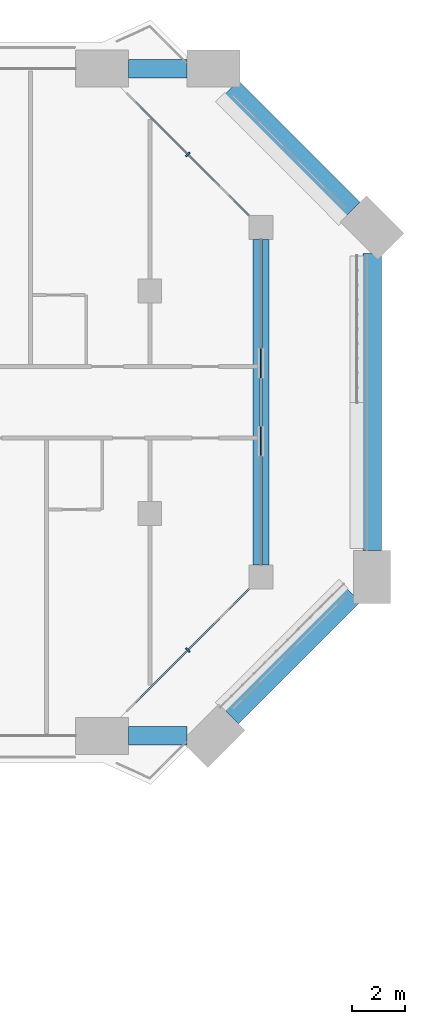
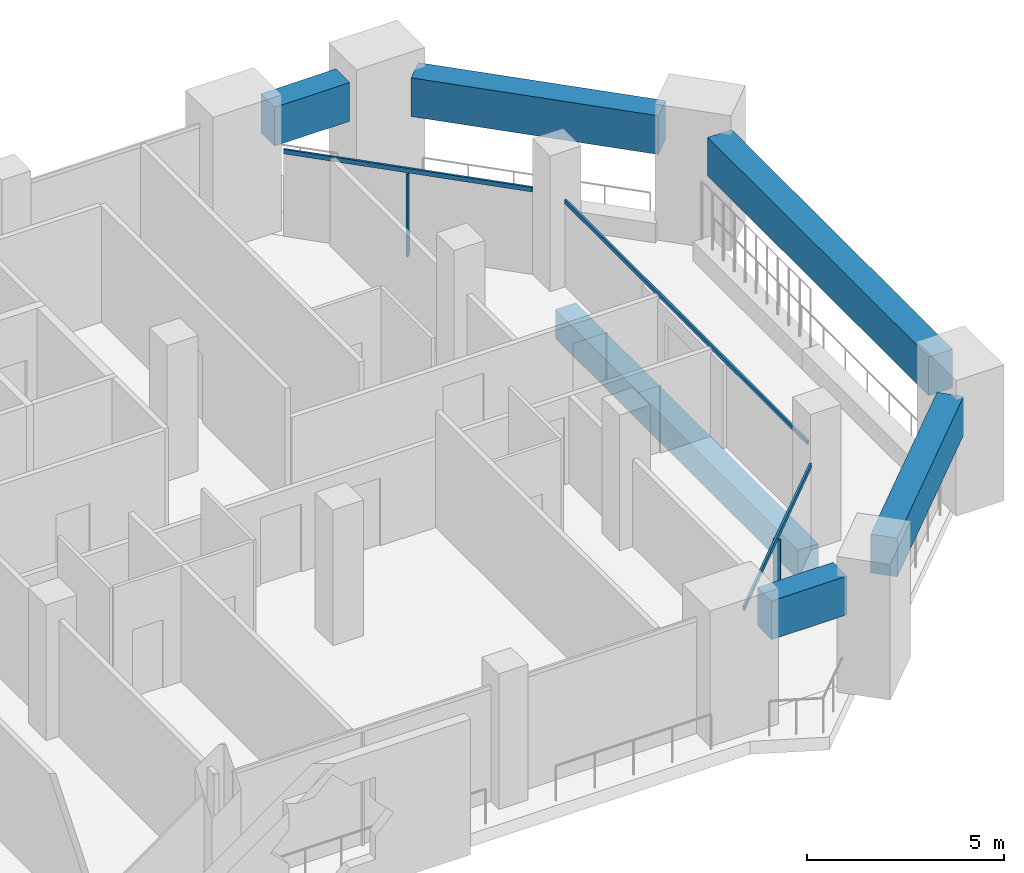
# One storey, part 7 of 21: 6 beams, 5 members, 3 elements without a shape of their own.
"""IFC4 building model written with IfcOpenShell, lengths in metres."""

from ifc_helpers import new_model, si_unit, direction, frame, origin, origin_2d, place, context, subcontext, project, spatial, rectangle, extrude, material, layer, layer_set, material_profile, profile_set, type_object, element, aggregate, save


model = new_model("IFC4")

# Units and contexts
model_context = context("Model", 3, precision=1e-05, world=origin(), true_north=direction((0.0, 1.0)))
body_context = subcontext(model_context, "Body", "Model", "MODEL_VIEW")
ifc_project = project(units=[si_unit("LENGTHUNIT", "METRE"), si_unit("AREAUNIT", "SQUARE_METRE"), si_unit("VOLUMEUNIT", "CUBIC_METRE"), si_unit("PLANEANGLEUNIT", "RADIAN"), si_unit("MASSUNIT", "GRAM", prefix="KILO")], contexts=[model_context])

# Site, building, storey
site_placement = place(None, origin())
site = spatial("IfcSite", under=ifc_project, at=site_placement, CompositionType="ELEMENT")
building_placement = place(site_placement, origin())
building = spatial("IfcBuilding", under=site, at=building_placement, Name="Kawkab Arch Medical Tower", CompositionType="ELEMENT")
storey_placement = place(building_placement, frame((0.0, 0.0, 230.60009765625)))
storey = spatial("IfcBuildingStorey", under=building, at=storey_placement, Name="L53", CompositionType="ELEMENT", Elevation=230.60009765625)

# Curtain wall, member
ifc_material_1 = material(Name="Bronze anodised aluminium curtain wall frame", Category="aluminium")
ifc_layer_1 = layer(ifc_material_1, 0.159912109375)
ifc_layer_set_1 = layer_set([ifc_layer_1], Name="Bronze anodised aluminium curtain wall frame")
curtain_wall_type_1 = type_object("IfcCurtainWallType", Name="CW1 ward curtain wall", PredefinedType="NOTDEFINED", material=ifc_layer_set_1)
placement = place(storey_placement, origin())
curtain_wall_1 = element("IfcCurtainWall", 1, at=placement, inside=storey, type_object=curtain_wall_type_1, Name="CW1 Ward curtain wall R09", PredefinedType="NOTDEFINED")
ifc_material_2 = material(Name="Bronze anodised aluminium curtain wall frame", Category="aluminium")
ifc_material_profile_1 = material_profile(ifc_material_2, rectangle(XDim=0.06005859375, YDim=0.1201171875, at=origin_2d()), Name="AL 60x120")
ifc_profile_set_1 = profile_set([ifc_material_profile_1], Name="Bronze anodised aluminium curtain wall frame")
member_type_1 = type_object("IfcMemberType", Name="CW1 transom 120 x 60", PredefinedType="USERDEFINED", material=ifc_profile_set_1)
member_1_placement = place(storey_placement, frame((63.0, -18.75, 2.639892578125), z_axis=(0.0, 1.0, 0.0), x_axis=(-1.0, 0.0, 0.0)))
member_1 = element("IfcMember", 2, at=member_1_placement, type_object=member_type_1, Name="CW1 transom 1", ObjectType="TRANSOM", PredefinedType="USERDEFINED", context=body_context, shape_type="SweptSolid", body=[
    extrude(rectangle(XDim=0.06005859375, YDim=0.1201171875, at=origin_2d()), origin(), (0.0, 0.0, 1.0), 12.300048828125),
])
aggregate(curtain_wall_1, [member_1])

ifc_material_3 = material(Name="Bronze anodised aluminium curtain wall frame", Category="aluminium")
ifc_layer_2 = layer(ifc_material_3, 0.159912109375)
ifc_layer_set_2 = layer_set([ifc_layer_2], Name="Bronze anodised aluminium curtain wall frame")
curtain_wall_type_2 = type_object("IfcCurtainWallType", Name="CW2 chamfer curtain wall", PredefinedType="NOTDEFINED", material=ifc_layer_set_2)
curtain_wall_2 = element("IfcCurtainWall", 3, at=placement, inside=storey, type_object=curtain_wall_type_2, Name="CW2 Chamfer curtain wall R08", PredefinedType="NOTDEFINED")
ifc_material_4 = material(Name="Bronze anodised aluminium curtain wall frame", Category="aluminium")
ifc_material_profile_2 = material_profile(ifc_material_4, rectangle(XDim=0.199951171875, YDim=0.06005859375, at=origin_2d()), Name="AL 60x200")
ifc_profile_set_2 = profile_set([ifc_material_profile_2], Name="Bronze anodised aluminium curtain wall frame")
member_type_2 = type_object("IfcMemberType", Name="CW2 mullion 60 x 200", PredefinedType="MULLION", material=ifc_profile_set_2)
member_2_placement = place(storey_placement, frame((60.240234375, -21.959716796875, 0.0), z_axis=(0.0, 0.0, 1.0), x_axis=(-0.707106781187, 0.707106781187, 0.0)))
member_2 = element("IfcMember", 4, at=member_2_placement, type_object=member_type_2, Name="CW2 mullion 1.1", PredefinedType="MULLION", context=body_context, shape_type="SweptSolid", body=[
    extrude(rectangle(XDim=0.199951171875, YDim=0.06005859375, at=origin_2d()), origin(), (0.0, 0.0, 1.0), 2.559814453125),
])

curtain_wall_3 = element("IfcCurtainWall", 5, at=placement, inside=storey, type_object=curtain_wall_type_2, Name="CW2 Chamfer curtain wall R10", PredefinedType="NOTDEFINED")
member_3_placement = place(storey_placement, frame((60.240234375, -3.240234375, 0.0), z_axis=(0.0, 0.0, 1.0), x_axis=(-0.707106781187, -0.707106781187, 0.0)))
member_3 = element("IfcMember", 6, at=member_3_placement, type_object=member_type_2, Name="CW2 mullion 1.1", PredefinedType="MULLION", context=body_context, shape_type="SweptSolid", body=[
    extrude(rectangle(XDim=0.199951171875, YDim=0.06005859375, at=origin_2d()), origin(), (0.0, 0.0, 1.0), 2.559814453125),
])

# Member
ifc_material_5 = material(Name="Bronze anodised aluminium curtain wall frame", Category="aluminium")
ifc_material_profile_3 = material_profile(ifc_material_5, rectangle(XDim=0.06005859375, YDim=0.139892578125, at=origin_2d()), Name="AL 60x140")
ifc_profile_set_3 = profile_set([ifc_material_profile_3], Name="Bronze anodised aluminium curtain wall frame")
member_type_3 = type_object("IfcMemberType", Name="CW2 transom 140 x 60", PredefinedType="USERDEFINED", material=ifc_profile_set_3)
member_4_placement = place(storey_placement, frame((57.930419921875, -24.269775390625, 2.6298828125), z_axis=(0.707088096654, 0.707125465225, 0.0), x_axis=(-0.707125465225, 0.707088096654, 0.0)))
member_4 = element("IfcMember", 7, at=member_4_placement, type_object=member_type_3, Name="CW2 transom 1", ObjectType="TRANSOM", PredefinedType="USERDEFINED", context=body_context, shape_type="SweptSolid", body=[
    extrude(rectangle(XDim=0.06005859375, YDim=0.139892578125, at=origin_2d()), origin(), (0.0, 0.0, 1.0), 6.533203125),
])

aggregate(curtain_wall_2, [member_4, member_2])

member_5_placement = place(storey_placement, frame((62.550048828125, -5.550048828125, 2.6298828125), z_axis=(-0.707106781187, 0.707106781187, 0.0), x_axis=(-0.707106781187, -0.707106781187, 0.0)))
member_5 = element("IfcMember", 8, at=member_5_placement, type_object=member_type_3, Name="CW2 transom 1", ObjectType="TRANSOM", PredefinedType="USERDEFINED", context=body_context, shape_type="SweptSolid", body=[
    extrude(rectangle(XDim=0.06005859375, YDim=0.139892578125, at=origin_2d()), origin(), (0.0, 0.0, 1.0), 6.533203125),
])

aggregate(curtain_wall_3, [member_5, member_3])

# Beams
ifc_material_6 = material(Name="Concrete C45/55", Category="concrete")
ifc_material_profile_4 = material_profile(ifc_material_6, rectangle(XDim=0.60009765625, YDim=0.89990234375, at=origin_2d()), Name="RC 600x900")
ifc_profile_set_4 = profile_set([ifc_material_profile_4], Name="Concrete C45/55")
beam_type_1 = type_object("IfcBeamType", Name="RC 600x900 beam C45/55", PredefinedType="BEAM", material=ifc_profile_set_4)
beam_1_placement = place(storey_placement, frame((63.0, -6.449951171875, -1.050048828125), z_axis=(0.0, -1.0, 0.0), x_axis=(1.0, 0.0, 0.0)))
element("IfcBeam", 9, at=beam_1_placement, inside=storey, type_object=beam_type_1, Name="Overhang edge beam L53-01", PredefinedType="BEAM", context=body_context, shape_type="SweptSolid", body=[
    extrude(rectangle(XDim=0.60009765625, YDim=0.89990234375, at=origin_2d()), origin(), (0.0, 0.0, 1.0), 12.300048828125),
])
ifc_material_7 = material(Name="Concrete C45/55", Category="concrete")
ifc_material_profile_5 = material_profile(ifc_material_7, rectangle(XDim=0.699951171875, YDim=1.199951171875, at=origin_2d()), Name="RC 700x1200")
ifc_profile_set_5 = profile_set([ifc_material_profile_5], Name="Concrete C45/55")
beam_type_2 = type_object("IfcBeamType", Name="RC 700x1200 beam C45/55", PredefinedType="BEAM", material=ifc_profile_set_5)
beam_2_placement = place(storey_placement, frame((58.0, 0.0, 3.0), z_axis=(1.0, 0.0, 0.0), x_axis=(0.0, 1.0, 0.0)))
element("IfcBeam", 10, at=beam_2_placement, inside=storey, type_object=beam_type_2, Name="Terrace frame beam TF-L53-1-L54-01", PredefinedType="BEAM", context=body_context, shape_type="SweptSolid", body=[
    extrude(rectangle(XDim=0.699951171875, YDim=1.199951171875, at=origin_2d()), origin(), (0.0, 0.0, 1.0), 2.199951171875),
])
beam_3_placement = place(storey_placement, frame((61.89990234375, -0.699951171875, 3.0), z_axis=(0.707106781187, -0.707106781187, 0.0), x_axis=(0.707106781187, 0.707106781187, 0.0)))
element("IfcBeam", 11, at=beam_3_placement, inside=storey, type_object=beam_type_2, Name="Terrace frame beam TF-L53-1-L54-02", PredefinedType="BEAM", context=body_context, shape_type="SweptSolid", body=[
    extrude(rectangle(XDim=0.699951171875, YDim=1.199951171875, at=origin_2d()), origin(), (0.0, 0.0, 1.0), 6.49560546875),
])
beam_4_placement = place(storey_placement, frame((67.199951171875, -6.989990234375, 3.0), z_axis=(0.0, -1.0, 0.0), x_axis=(1.0, 0.0, 0.0)))
element("IfcBeam", 12, at=beam_4_placement, inside=storey, type_object=beam_type_2, Name="Terrace frame beam TF-L53-1-L54-03", PredefinedType="BEAM", context=body_context, shape_type="SweptSolid", body=[
    extrude(rectangle(XDim=0.699951171875, YDim=1.199951171875, at=origin_2d()), origin(), (0.0, 0.0, 1.0), 11.2099609375),
])
beam_5_placement = place(storey_placement, frame((66.5, -19.89990234375, 3.0), z_axis=(-0.707106781187, -0.707106781187, 0.0), x_axis=(0.707106781187, -0.707106781187, 0.0)))
element("IfcBeam", 13, at=beam_5_placement, inside=storey, type_object=beam_type_2, Name="Terrace frame beam TF-L53-1-L54-04", PredefinedType="BEAM", context=body_context, shape_type="SweptSolid", body=[
    extrude(rectangle(XDim=0.699951171875, YDim=1.199951171875, at=origin_2d()), origin(), (0.0, 0.0, 1.0), 6.49560546875),
])
beam_6_placement = place(storey_placement, frame((60.210205078125, -25.199951171875, 3.0), z_axis=(-1.0, 0.0, 0.0), x_axis=(0.0, -1.0, 0.0)))
element("IfcBeam", 14, at=beam_6_placement, inside=storey, type_object=beam_type_2, Name="Terrace frame beam TF-L53-1-L54-05", PredefinedType="BEAM", context=body_context, shape_type="SweptSolid", body=[
    extrude(rectangle(XDim=0.699951171875, YDim=1.199951171875, at=origin_2d()), origin(), (0.0, 0.0, 1.0), 2.210205078125),
])

save(model, "model.ifc")
